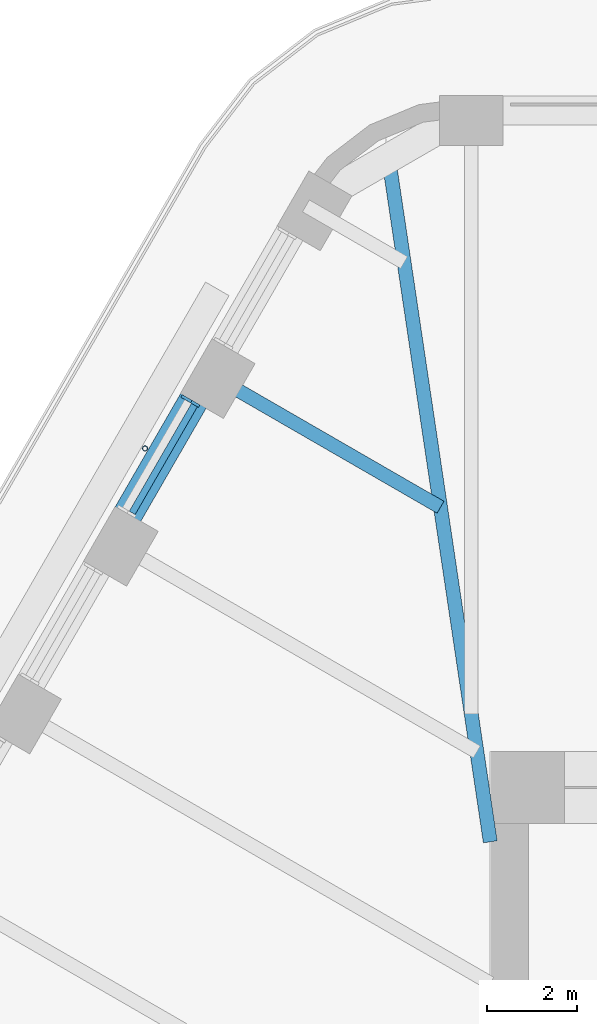
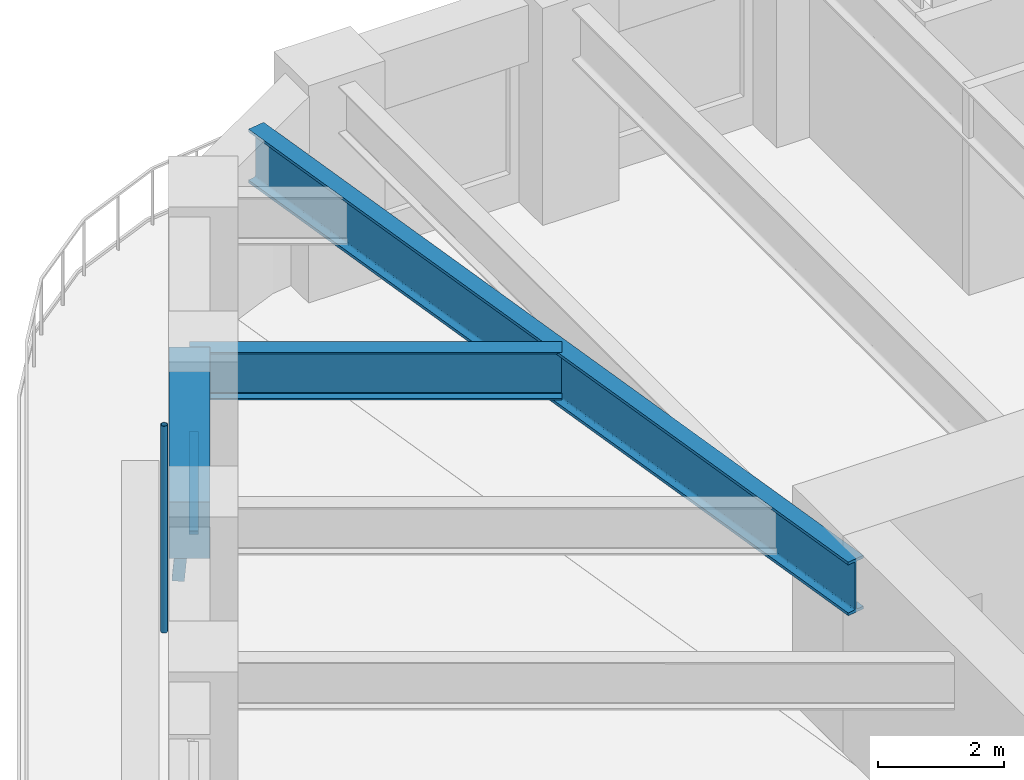
# One storey, part 8 of 19: 3 beams, 3 members, 1 element without a shape of its own.
"""IFC4 building model written with IfcOpenShell, lengths in metres."""

from ifc_helpers import new_model, si_unit, direction, frame, origin, origin_2d, place, context, subcontext, project, spatial, rectangle, hollow_circle, i_section, extrude, material, material_profile, profile_set, type_object, element, aggregate, save


model = new_model("IFC4")

# Units and contexts
model_context = context("Model", 3, precision=1e-05, world=origin(), true_north=direction((0.0, 1.0)))
body_context = subcontext(model_context, "Body", "Model", "MODEL_VIEW")
ifc_project = project(units=[si_unit("LENGTHUNIT", "METRE"), si_unit("AREAUNIT", "SQUARE_METRE"), si_unit("VOLUMEUNIT", "CUBIC_METRE"), si_unit("PLANEANGLEUNIT", "RADIAN"), si_unit("MASSUNIT", "GRAM", prefix="KILO")], contexts=[model_context])

# Site, building, storey
site_placement = place(None, origin())
site = spatial("IfcSite", under=ifc_project, at=site_placement, CompositionType="ELEMENT")
building_placement = place(site_placement, origin())
building = spatial("IfcBuilding", under=site, at=building_placement, Name="Tarfa Lantern Tower", CompositionType="ELEMENT")
storey_placement = place(building_placement, frame((0.0, 0.0, 328.300048828125)))
storey = spatial("IfcBuildingStorey", under=building, at=storey_placement, Name="L74", CompositionType="ELEMENT", Elevation=328.300048828125)

# Curtain wall, members
ifc_material_1 = material(Name="Aluminium framed curtain wall", Category="aluminium")
curtain_wall_type = type_object("IfcCurtainWallType", Name="CW4 CANTED GLAZING EXECUTIVE ZONE 2900", PredefinedType="USERDEFINED", material=ifc_material_1)
curtain_wall_placement = place(storey_placement, origin())
curtain_wall = element("IfcCurtainWall", 1, at=curtain_wall_placement, inside=storey, type_object=curtain_wall_type, Name="CW4 NW L74", ObjectType="CURTAIN WALL", PredefinedType="USERDEFINED")
ifc_material_2 = material(Name="Aluminium mullion", Category="aluminium")
ifc_material_profile_1 = material_profile(ifc_material_2, rectangle(XDim=0.06494140625, YDim=0.199951171875, at=origin_2d()), Name="AL MULLION 65x200")
ifc_profile_set_1 = profile_set([ifc_material_profile_1], Name="Aluminium mullion")
member_type_1 = type_object("IfcMemberType", Name="CWM1 MULLION 65x200", PredefinedType="MULLION", material=ifc_profile_set_1)
member_1_placement = place(storey_placement, frame((-19.163818359375, 20.107421875, 0.0), z_axis=(0.074399820079, -0.042945555672, 0.996303340364), x_axis=(0.499919672301, 0.866071776036, 0.0)))
member_1 = element("IfcMember", 2, at=member_1_placement, type_object=member_type_1, Name="CW4 mullion 1", PredefinedType="MULLION", context=body_context, shape_type="SweptSolid", body=[
    extrude(rectangle(XDim=0.06494140625, YDim=0.199951171875, at=origin_2d()), origin(), (0.0, 0.0, 1.0), 2.91064453125),
])
ifc_material_3 = material(Name="Aluminium transom", Category="aluminium")
ifc_material_profile_2 = material_profile(ifc_material_3, rectangle(XDim=0.14990234375, YDim=0.06494140625, at=origin_2d()), Name="AL TRANSOM 150x65")
ifc_profile_set_2 = profile_set([ifc_material_profile_2], Name="Aluminium transom")
member_type_2 = type_object("IfcMemberType", Name="CWT1 TRANSOM 150x65", PredefinedType="USERDEFINED", material=ifc_profile_set_2)
member_2_placement = place(storey_placement, frame((-18.966064453125, 19.95556640625, 2.867431640625), z_axis=(-0.499993790352, -0.866028988896, 0.0), x_axis=(0.866028988896, -0.499993790352, 0.0)))
member_2 = element("IfcMember", 3, at=member_2_placement, type_object=member_type_2, Name="CW4 transom 1.2", ObjectType="TRANSOM", PredefinedType="USERDEFINED", context=body_context, shape_type="SweptSolid", body=[
    extrude(rectangle(XDim=0.14990234375, YDim=0.06494140625, at=origin_2d()), origin(), (0.0, 0.0, 1.0), 2.751953125),
])
aggregate(curtain_wall, [member_1, member_2])

# Beam
ifc_material_4 = material(Name="Concrete C80/95", Category="concrete")
ifc_material_profile_3 = material_profile(ifc_material_4, rectangle(XDim=0.64990234375, YDim=1.10009765625, at=origin_2d()), Name="RC 650x1100")
ifc_profile_set_3 = profile_set([ifc_material_profile_3], Name="Concrete C80/95")
beam_type_1 = type_object("IfcBeamType", Name="EB4 RC 650x1100", PredefinedType="SPANDREL", material=ifc_profile_set_3)
beam_1_placement = place(storey_placement, frame((-18.6416015625, 20.651611328125, 3.449951171875), z_axis=(-0.500026801138, -0.866009929587, 0.0), x_axis=(0.866009929587, -0.500026801138, 0.0)))
element("IfcBeam", 4, at=beam_1_placement, inside=storey, type_object=beam_type_1, Name="Edge beam NW1", PredefinedType="SPANDREL", context=body_context, shape_type="SweptSolid", body=[
    extrude(rectangle(XDim=0.64990234375, YDim=1.10009765625, at=origin_2d()), origin(), (0.0, 0.0, 1.0), 4.281982421875),
])

# Member
ifc_material_5 = material(Name="Steel S355", Category="steel")
ifc_material_profile_4 = material_profile(ifc_material_5, hollow_circle(Radius=0.05712890625, WallThickness=0.00634765625, at=origin_2d()), Name="CHS114.3x6.3")
ifc_profile_set_4 = profile_set([ifc_material_profile_4], Name="Steel S355")
member_type_3 = type_object("IfcMemberType", Name="TR1 GREEN WALL TRELLIS CHS114.3x6.3", PredefinedType="USERDEFINED", material=ifc_profile_set_4)
member_3_placement = place(storey_placement, frame((-20.05859375, 18.99755859375, 0.0), z_axis=(0.0, 0.0, 1.0), x_axis=(1.0, 0.0, 0.0)))
element("IfcMember", 5, at=member_3_placement, inside=storey, type_object=member_type_3, Name="Trellis post NW 1", ObjectType="TRELLIS", PredefinedType="USERDEFINED", context=body_context, shape_type="SweptSolid", body=[
    extrude(hollow_circle(Radius=0.05712890625, WallThickness=0.00634765625, at=origin_2d()), origin(), (0.0, 0.0, 1.0), 4.0),
])

# Beams
ifc_material_6 = material(Name="Steel S460M", Category="steel")
ifc_material_profile_5 = material_profile(ifc_material_6, i_section(OverallWidth=0.30859375, OverallDepth=1.036376953125, WebThickness=0.030029296875, FlangeThickness=0.05419921875, FilletRadius=0.030029296875, at=origin_2d()), Name="UB1016x305x487")
ifc_profile_set_5 = profile_set([ifc_material_profile_5], Name="Steel S460M")
beam_type_2 = type_object("IfcBeamType", Name="UB1016x305x487", PredefinedType="BEAM", material=ifc_profile_set_5)
beam_2_placement = place(storey_placement, frame((-12.425048828125, 10.300048828125, 3.481689453125), z_axis=(-0.147127069073, 0.989117599452, 0.0), x_axis=(-0.989117599452, -0.147127069073, 0.0)))
element("IfcBeam", 6, at=beam_2_placement, inside=storey, type_object=beam_type_2, Name="Hip girder NW", PredefinedType="BEAM", context=body_context, shape_type="SweptSolid", body=[
    extrude(i_section(OverallWidth=0.30859375, OverallDepth=1.036376953125, WebThickness=0.030029296875, FlangeThickness=0.05419921875, FilletRadius=0.030029296875, at=origin_2d()), origin(), (0.0, 0.0, 1.0), 15.28125),
])
ifc_material_profile_6 = material_profile(ifc_material_6, i_section(OverallWidth=0.305419921875, OverallDepth=0.91845703125, WebThickness=0.017333984375, FlangeThickness=0.02783203125, FilletRadius=0.01904296875, at=origin_2d()), Name="UB914x305x253")
ifc_profile_set_6 = profile_set([ifc_material_profile_6], Name="Steel S460M")
beam_type_3 = type_object("IfcBeamType", Name="UB914x305x253", PredefinedType="BEAM", material=ifc_profile_set_6)
beam_3_placement = place(storey_placement, frame((-18.6416015625, 20.651611328125, 3.540771484375), z_axis=(0.866024549157, -0.500001480256, 0.0), x_axis=(0.500001480256, 0.866024549157, 0.0)))
element("IfcBeam", 7, at=beam_3_placement, inside=storey, type_object=beam_type_3, Name="Floor beam NW1", PredefinedType="BEAM", context=body_context, shape_type="SweptSolid", body=[
    extrude(i_section(OverallWidth=0.305419921875, OverallDepth=0.91845703125, WebThickness=0.017333984375, FlangeThickness=0.02783203125, FilletRadius=0.01904296875, at=origin_2d()), origin(), (0.0, 0.0, 1.0), 5.90771484375),
])

save(model, "model.ifc")
